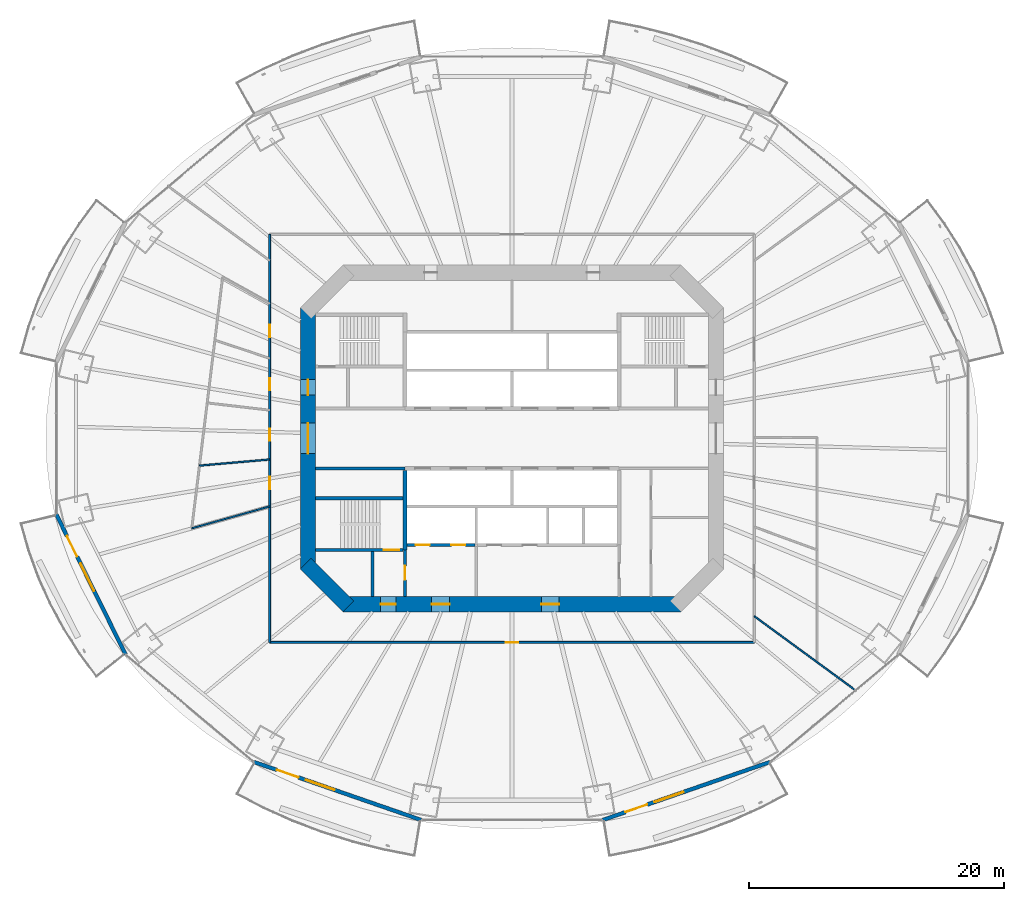
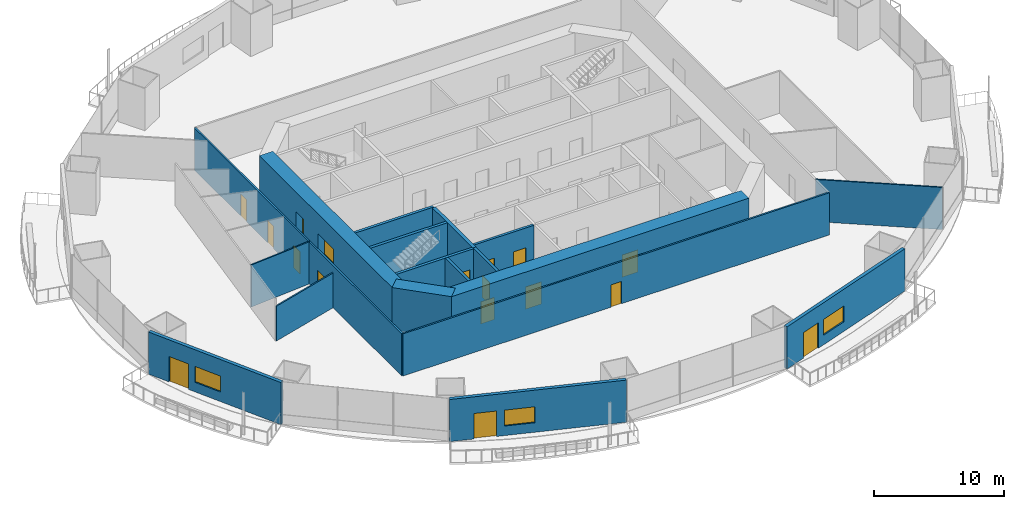
# One storey, part 14 of 23: 18 walls, 17 doors, 3 windows, 20 openings.
"""IFC4 building model written with IfcOpenShell, lengths in metres."""

import ifcopenshell
import ifcopenshell.guid

model = None  # the IFC model being written
_history = None  # IfcOwnerHistory: only IFC2X3 demands one
_inside = {}  # id of a spatial element -> (the spatial element, [elements in it])
_under = {}  # id of a project, library or spatial element -> (it, [spatial elements below it])
_declared = {}  # id of a project -> (the project, [libraries it declares])
_typed = {}  # id of a type object -> (the type object, [elements of that type])
_made_of = {}  # id of a material, layer set ... -> (it, [elements and type objects made of it])


def new_model(schema):
    """Start an empty IFC model of exactly this schema.

    Asked for "IFC4X3", IfcOpenShell would pick the latest addendum, in which some entities
    have other attributes; the version numbers below select the first issue.
    IFC2X3 requires an IfcOwnerHistory on every rooted entity: one is made here for all.
    """
    global model, _history
    if schema == "IFC4X3":
        model = ifcopenshell.file(schema_version=(4, 3, 0, 0))
    else:
        model = ifcopenshell.file(schema=schema)
    _inside.clear()
    _under.clear()
    _declared.clear()
    _typed.clear()
    _made_of.clear()
    _history = None
    if model.schema == "IFC2X3":
        org = make("IfcOrganization", Name="unknown")
        user = make(
            "IfcPersonAndOrganization",
            ThePerson=make("IfcPerson", FamilyName="unknown"),
            TheOrganization=org,
        )
        app = make(
            "IfcApplication",
            ApplicationDeveloper=org,
            Version="unknown",
            ApplicationFullName="unknown",
            ApplicationIdentifier="unknown",
        )
        _history = make(
            "IfcOwnerHistory",
            OwningUser=user,
            OwningApplication=app,
            ChangeAction="ADDED",
            CreationDate=0,
        )
    return model


def make(cls, **values):
    """One entity of the class cls with the attributes given. An attribute that is None is left unset."""
    return model.create_entity(
        cls, **{name: value for name, value in values.items() if value is not None}
    )


def rooted(cls, **values):
    """An entity with a GlobalId (a new one), such as an element, a storey or a relation."""
    return make(cls, GlobalId=ifcopenshell.guid.new(), OwnerHistory=_history, **values)


def si_unit(unit_type, name, prefix=None):
    """IfcSIUnit, for example si_unit("LENGTHUNIT", "METRE", prefix="MILLI")."""
    return make("IfcSIUnit", UnitType=unit_type, Prefix=prefix, Name=name)


def assignment(units):
    """IfcUnitAssignment: the units of a project."""
    return None if units is None else make("IfcUnitAssignment", Units=units)


def point(xyz):
    """IfcCartesianPoint."""
    return None if xyz is None else make("IfcCartesianPoint", Coordinates=xyz)


def direction(xyz):
    """IfcDirection."""
    return None if xyz is None else make("IfcDirection", DirectionRatios=xyz)


def frame(location, z_axis=None, x_axis=None):
    """IfcAxis2Placement3D, a coordinate frame: its origin and axes. An axis left out is left unset."""
    return make(
        "IfcAxis2Placement3D",
        Location=point(location),
        Axis=direction(z_axis),
        RefDirection=direction(x_axis),
    )


def frame_2d(location, x_axis=None):
    """IfcAxis2Placement2D, a coordinate frame in the plane: its origin and x axis."""
    return make(
        "IfcAxis2Placement2D", Location=point(location), RefDirection=direction(x_axis)
    )


def origin():
    """The frame at (0, 0, 0) with its axes left unset."""
    return frame((0.0, 0.0, 0.0))


def place(relative_to, where):
    """IfcLocalPlacement: puts the frame where relative to a parent placement (None: the world)."""
    return make(
        "IfcLocalPlacement", PlacementRelTo=relative_to, RelativePlacement=where
    )


def context(
    kind, dimensions, precision=None, world=None, true_north=None, identifier=None
):
    """IfcGeometricRepresentationContext, for example the 3D "Model" context."""
    return make(
        "IfcGeometricRepresentationContext",
        ContextIdentifier=identifier,
        ContextType=kind,
        CoordinateSpaceDimension=dimensions,
        Precision=precision,
        WorldCoordinateSystem=world,
        TrueNorth=true_north,
    )


def subcontext(parent, identifier, kind, view, scale=None):
    """IfcGeometricRepresentationSubContext, for example "Body" below "Model"."""
    return make(
        "IfcGeometricRepresentationSubContext",
        ContextIdentifier=identifier,
        ContextType=kind,
        ParentContext=parent,
        TargetScale=scale,
        TargetView=view,
    )


def project(units=None, contexts=None):
    """IfcProject with its units and contexts."""
    return rooted(
        "IfcProject",
        Name="project",
        RepresentationContexts=contexts,
        UnitsInContext=assignment(units),
    )


def spatial(cls, under=None, at=None, **own):
    """A site, building, storey or space (cls), placed at a placement, below another one or the project."""
    s = rooted(cls, ObjectPlacement=at, **own)
    if under is not None:
        _under.setdefault(under.id(), (under, []))[1].append(s)
    return s


def profile(cls, at=None, kind="AREA", **sizes):
    """A parametric profile (cls). Its sizes go by their IFC names, for example OverallWidth=200.0."""
    return make(cls, ProfileType=kind, Position=at, **sizes)


def rectangle(**sizes):
    """IfcRectangleProfileDef."""
    return profile("IfcRectangleProfileDef", **sizes)


def extrude(swept, where, along, depth):
    """IfcExtrudedAreaSolid: the profile swept, set in the frame where, extruded along a direction by depth."""
    return make(
        "IfcExtrudedAreaSolid",
        SweptArea=swept,
        Position=where,
        ExtrudedDirection=direction(along),
        Depth=depth,
    )


def shape(context_of_items, identifier, shape_type, items):
    """IfcShapeRepresentation: the items that make up one representation, for example the "Body"."""
    return make(
        "IfcShapeRepresentation",
        ContextOfItems=context_of_items,
        RepresentationIdentifier=identifier,
        RepresentationType=shape_type,
        Items=items,
    )


def material(Name=None, Category=None):
    """IfcMaterial."""
    return make("IfcMaterial", Name=Name, Category=Category)


def layer(
    of_material, thickness, ventilated=None, Name=None, Category=None, Priority=None
):
    """IfcMaterialLayer: one layer of a wall or slab, of a material (None: an air gap)."""
    return make(
        "IfcMaterialLayer",
        Material=of_material,
        LayerThickness=thickness,
        IsVentilated=ventilated,
        Name=Name,
        Category=Category,
        Priority=Priority,
    )


def layer_set(layers, Name=None):
    """IfcMaterialLayerSet."""
    return make("IfcMaterialLayerSet", MaterialLayers=layers, LayerSetName=Name)


def made_of(thing, what):
    """Note that an element or type object is made of a material, layer set ...; save() writes the relation."""
    if what is not None:
        _made_of.setdefault(what.id(), (what, []))[1].append(thing)
    return thing


def type_object(cls, material=None, **own):
    """A type object (cls), such as IfcWallType, which elements share."""
    return made_of(rooted(cls, **own), material)


def element(
    cls,
    number,
    at=None,
    inside=None,
    cuts=None,
    type_object=None,
    material=None,
    context=None,
    identifier="Body",
    shape_type=None,
    held_by="IfcProductDefinitionShape",
    body=None,
    shapes=None,
    **own,
):
    """One element of the class cls, such as IfcWall. Its Tag is "e" and its number.

    at: its placement. inside: the storey or other place that contains it. cuts: it is an
    opening in that element (IfcRelVoidsElement). A single representation is given by context,
    identifier, shape_type and body (its items); several are given by shapes. held_by: the class
    of the entity that holds the representations. save() writes the other relations.
    """
    e = rooted(cls, Tag="e%d" % number, ObjectPlacement=at, **own)
    if body is not None:
        shapes = [shape(context, identifier, shape_type, body)]
    if shapes is not None:
        e.Representation = make(held_by, Representations=shapes)
    if inside is not None:
        _inside.setdefault(inside.id(), (inside, []))[1].append(e)
    if cuts is not None:
        rooted(
            "IfcRelVoidsElement", RelatingBuildingElement=cuts, RelatedOpeningElement=e
        )
    if type_object is not None:
        _typed.setdefault(type_object.id(), (type_object, []))[1].append(e)
    return made_of(e, material)


def fill(opening, filler):
    """IfcRelFillsElement: the door or window that sits in an opening."""
    return rooted(
        "IfcRelFillsElement",
        RelatingOpeningElement=opening,
        RelatedBuildingElement=filler,
    )


def aggregate(whole, parts):
    """IfcRelAggregates: a whole, such as a stair, and the parts it consists of."""
    return rooted("IfcRelAggregates", RelatingObject=whole, RelatedObjects=parts)


def save(model, path):
    """Write the relations noted so far, then the file.

    IfcRelAggregates (storeys below a building ...), IfcRelContainedInSpatialStructure (elements
    in a storey), IfcRelDefinesByType, IfcRelAssociatesMaterial and IfcRelDeclares: one each for
    every whole, place, type object, material and project.
    """
    for whole, parts in _under.values():
        aggregate(whole, parts)
    for where, things in _inside.values():
        rooted(
            "IfcRelContainedInSpatialStructure",
            RelatedElements=things,
            RelatingStructure=where,
        )
    for kind, things in _typed.values():
        rooted("IfcRelDefinesByType", RelatedObjects=things, RelatingType=kind)
    for what, things in _made_of.values():
        rooted("IfcRelAssociatesMaterial", RelatedObjects=things, RelatingMaterial=what)
    for by, libraries in _declared.values():
        rooted("IfcRelDeclares", RelatingContext=by, RelatedDefinitions=libraries)
    model.write(path)


model = new_model("IFC4")

# Units and contexts
model_context = context("Model", 3, precision=1e-05, world=origin(), true_north=direction((0.0, 1.0)))
body_context = subcontext(model_context, "Body", "Model", "MODEL_VIEW")
ifc_project = project(units=[si_unit("LENGTHUNIT", "METRE"), si_unit("AREAUNIT", "SQUARE_METRE"), si_unit("VOLUMEUNIT", "CUBIC_METRE"), si_unit("PLANEANGLEUNIT", "RADIAN"), si_unit("MASSUNIT", "GRAM", prefix="KILO")], contexts=[model_context])

# Site, building, storey
site_placement = place(None, origin())
site = spatial("IfcSite", under=ifc_project, at=site_placement, CompositionType="ELEMENT")
building_placement = place(site_placement, origin())
building = spatial("IfcBuilding", under=site, at=building_placement, Name="Marenthal Gate Tower", CompositionType="ELEMENT")
storey_placement = place(building_placement, frame((0.0, 0.0, 45.449951171875)))
storey = spatial("IfcBuildingStorey", under=building, at=storey_placement, Name="L07", CompositionType="ELEMENT", Elevation=45.449951171875)

# Wall, openings, doors
ifc_material_1 = material(Name="Concrete 60 MPa", Category="concrete")
ifc_layer_1 = layer(ifc_material_1, 1.199951171875)
ifc_layer_set_1 = layer_set([ifc_layer_1], Name="Core shear wall 1200")
wall_type_1 = type_object("IfcWallType", Name="Core shear wall 1200", PredefinedType="SHEAR", material=ifc_layer_set_1)
wall_1_placement = place(storey_placement, frame((-16.0, 10.24853515625, -0.179931640625), z_axis=(0.0, 0.0, 1.0), x_axis=(0.0, -1.0, 0.0)))
wall_1 = element("IfcWall", 1, at=wall_1_placement, inside=storey, type_object=wall_type_1, Name="Core wall 06", PredefinedType="SHEAR", context=body_context, shape_type="SweptSolid", body=[
    extrude(rectangle(XDim=20.4970703125, YDim=1.199951171875, at=frame_2d((10.24853515625, 0.0))), origin(), (0.0, 0.0, 1.0), 4.14990234375),
])
opening_1_placement = place(wall_1_placement, frame((9.048583984375, 0.0, 0.179931640625)))
opening_1 = element("IfcOpeningElement", 2, at=opening_1_placement, cuts=wall_1, Name="Opening D003.01", PredefinedType="OPENING", context=body_context, shape_type="SweptSolid", body=[
    extrude(rectangle(XDim=2.39990234375, YDim=2.10009765625, at=frame_2d((1.199951171875, 1.050048828125))), frame((0.0, 0.60986328125, 0.0), z_axis=(0.0, -1.0, 0.0), x_axis=(1.0, 0.0, 0.0)), (0.0, 0.0, 1.0), 1.219970703125),
])
opening_2_placement = place(wall_1_placement, frame((5.6484375, 0.0, 0.179931640625)))
opening_2 = element("IfcOpeningElement", 3, at=opening_2_placement, cuts=wall_1, Name="Opening D001.04", PredefinedType="OPENING", context=body_context, shape_type="SweptSolid", body=[
    extrude(rectangle(XDim=1.199951171875, YDim=2.10009765625, at=frame_2d((0.60009765625, 1.050048828125))), frame((0.0, 0.60986328125, 0.0), z_axis=(0.0, -1.0, 0.0), x_axis=(1.0, 0.0, 0.0)), (0.0, 0.0, 1.0), 1.219970703125),
])
ifc_material_2 = material(Name="Steel fire door", Category="steel")
door_type_1 = type_object("IfcDoorType", Name="Double fire door FD 45 2400 x 2100", OperationType="DOUBLE_DOOR_SINGLE_SWING", PredefinedType="DOOR", material=ifc_material_2)
door_1_placement = place(opening_1_placement, origin())
door_1 = element("IfcDoor", 4, at=door_1_placement, inside=storey, type_object=door_type_1, Name="Door D003.01", OperationType="DOUBLE_DOOR_SINGLE_SWING", OverallHeight=2.10009765625, OverallWidth=2.39990234375, PredefinedType="DOOR", context=body_context, shape_type="SweptSolid", body=[
    extrude(rectangle(XDim=2.39990234375, YDim=2.10009765625, at=frame_2d((1.199951171875, 1.050048828125))), frame((0.0, 0.02490234375, 0.0), z_axis=(0.0, -1.0, 0.0), x_axis=(1.0, 0.0, 0.0)), (0.0, 0.0, 1.0), 0.050048828125),
])
fill(opening_1, door_1)
ifc_material_3 = material(Name="Steel fire door", Category="steel")
door_type_2 = type_object("IfcDoorType", Name="Fire door FD 90 1200 x 2100", OperationType="NOTDEFINED", PredefinedType="DOOR", material=ifc_material_3)
door_2_placement = place(opening_2_placement, origin())
door_2 = element("IfcDoor", 5, at=door_2_placement, inside=storey, type_object=door_type_2, Name="Door D001.04", OperationType="SINGLE_SWING_RIGHT", OverallHeight=2.10009765625, OverallWidth=1.199951171875, PredefinedType="DOOR", context=body_context, shape_type="SweptSolid", body=[
    extrude(rectangle(XDim=1.199951171875, YDim=2.10009765625, at=frame_2d((0.60009765625, 1.050048828125))), frame((0.0, 0.02490234375, 0.0), z_axis=(0.0, -1.0, 0.0), x_axis=(1.0, 0.0, 0.0)), (0.0, 0.0, 1.0), 0.050048828125),
])
fill(opening_2, door_2)

# Wall
wall_2_placement = place(storey_placement, frame((-16.17578125, -9.82421875, -0.179931640625), z_axis=(0.0, 0.0, 1.0), x_axis=(0.707106781187, -0.707106781187, 0.0)))
element("IfcWall", 6, at=wall_2_placement, inside=storey, type_object=wall_type_1, Name="Core wall 07", PredefinedType="SHEAR", context=body_context, shape_type="SweptSolid", body=[
    extrude(rectangle(XDim=4.73974609375, YDim=1.199951171875, at=frame_2d((2.369873046875, 0.0))), origin(), (0.0, 0.0, 1.0), 4.14990234375),
])

# Wall, openings, doors
wall_3_placement = place(storey_placement, frame((-13.24853515625, -13.0, -0.179931640625), z_axis=(0.0, 0.0, 1.0), x_axis=(1.0, 0.0, 0.0)))
wall_3 = element("IfcWall", 7, at=wall_3_placement, inside=storey, type_object=wall_type_1, Name="Core wall 08", PredefinedType="SHEAR", context=body_context, shape_type="SweptSolid", body=[
    extrude(rectangle(XDim=26.4970703125, YDim=1.199951171875, at=frame_2d((13.24853515625, 0.0))), origin(), (0.0, 0.0, 1.0), 4.14990234375),
])
opening_3_placement = place(wall_3_placement, frame((2.948486328125, 0.0, 0.179931640625)))
opening_3 = element("IfcOpeningElement", 8, at=opening_3_placement, cuts=wall_3, Name="Opening D001.06", PredefinedType="OPENING", context=body_context, shape_type="SweptSolid", body=[
    extrude(rectangle(XDim=1.199951171875, YDim=2.10009765625, at=frame_2d((0.60009765625, 1.050048828125))), frame((0.0, 0.60986328125, 0.0), z_axis=(0.0, -1.0, 0.0), x_axis=(1.0, 0.0, 0.0)), (0.0, 0.0, 1.0), 1.219970703125),
])
opening_4_placement = place(wall_3_placement, frame((6.948486328125, 0.0, 0.179931640625)))
opening_4 = element("IfcOpeningElement", 9, at=opening_4_placement, cuts=wall_3, Name="Opening D004.01", PredefinedType="OPENING", context=body_context, shape_type="SweptSolid", body=[
    extrude(rectangle(XDim=1.39990234375, YDim=2.10009765625, at=frame_2d((0.699951171875, 1.050048828125))), frame((0.0, 0.60986328125, 0.0), z_axis=(0.0, -1.0, 0.0), x_axis=(1.0, 0.0, 0.0)), (0.0, 0.0, 1.0), 1.219970703125),
])
opening_5_placement = place(wall_3_placement, frame((15.548583984375, 0.0, 0.179931640625)))
opening_5 = element("IfcOpeningElement", 10, at=opening_5_placement, cuts=wall_3, Name="Opening D004.02", PredefinedType="OPENING", context=body_context, shape_type="SweptSolid", body=[
    extrude(rectangle(XDim=1.39990234375, YDim=2.10009765625, at=frame_2d((0.699951171875, 1.050048828125))), frame((0.0, 0.60986328125, 0.0), z_axis=(0.0, -1.0, 0.0), x_axis=(1.0, 0.0, 0.0)), (0.0, 0.0, 1.0), 1.219970703125),
])
ifc_material_4 = material(Name="Steel fire door", Category="steel")
door_type_3 = type_object("IfcDoorType", Name="Fire door FD 45 1400 x 2100", OperationType="NOTDEFINED", PredefinedType="DOOR", material=ifc_material_4)
door_3_placement = place(opening_4_placement, origin())
door_3 = element("IfcDoor", 11, at=door_3_placement, inside=storey, type_object=door_type_3, Name="Door D004.01", OperationType="SINGLE_SWING_RIGHT", OverallHeight=2.10009765625, OverallWidth=1.39990234375, PredefinedType="DOOR", context=body_context, shape_type="SweptSolid", body=[
    extrude(rectangle(XDim=1.39990234375, YDim=2.10009765625, at=frame_2d((0.699951171875, 1.050048828125))), frame((0.0, 0.02490234375, 0.0), z_axis=(0.0, -1.0, 0.0), x_axis=(1.0, 0.0, 0.0)), (0.0, 0.0, 1.0), 0.050048828125),
])
fill(opening_4, door_3)
door_4_placement = place(opening_5_placement, origin())
door_4 = element("IfcDoor", 12, at=door_4_placement, inside=storey, type_object=door_type_3, Name="Door D004.02", OperationType="SINGLE_SWING_RIGHT", OverallHeight=2.10009765625, OverallWidth=1.39990234375, PredefinedType="DOOR", context=body_context, shape_type="SweptSolid", body=[
    extrude(rectangle(XDim=1.39990234375, YDim=2.10009765625, at=frame_2d((0.699951171875, 1.050048828125))), frame((0.0, 0.02490234375, 0.0), z_axis=(0.0, -1.0, 0.0), x_axis=(1.0, 0.0, 0.0)), (0.0, 0.0, 1.0), 0.050048828125),
])
fill(opening_5, door_4)
door_5_placement = place(opening_3_placement, origin())
door_5 = element("IfcDoor", 13, at=door_5_placement, inside=storey, type_object=door_type_2, Name="Door D001.06", OperationType="SINGLE_SWING_RIGHT", OverallHeight=2.10009765625, OverallWidth=1.199951171875, PredefinedType="DOOR", context=body_context, shape_type="SweptSolid", body=[
    extrude(rectangle(XDim=1.199951171875, YDim=2.10009765625, at=frame_2d((0.60009765625, 1.050048828125))), frame((0.0, 0.02490234375, 0.0), z_axis=(0.0, -1.0, 0.0), x_axis=(1.0, 0.0, 0.0)), (0.0, 0.0, 1.0), 0.050048828125),
])
fill(opening_3, door_5)

# Wall
ifc_material_5 = material(Name="Concrete 50 MPa", Category="concrete")
ifc_layer_2 = layer(ifc_material_5, 0.300048828125)
ifc_layer_set_2 = layer_set([ifc_layer_2], Name="Hoistway shear wall 300")
wall_type_2 = type_object("IfcWallType", Name="Hoistway shear wall 300", PredefinedType="SHEAR", material=ifc_layer_set_2)
wall_4_placement = place(storey_placement, frame((-8.39990234375, -8.75, -0.179931640625), z_axis=(0.0, 0.0, 1.0), x_axis=(0.0, 1.0, 0.0)))
element("IfcWall", 14, at=wall_4_placement, inside=storey, type_object=wall_type_2, Name="Hoistway wall 30", PredefinedType="SHEAR", context=body_context, shape_type="SweptSolid", body=[
    extrude(rectangle(XDim=6.25, YDim=0.300048828125, at=frame_2d((3.125, 0.0))), origin(), (0.0, 0.0, 1.0), 4.14990234375),
])

# Wall, openings, doors
ifc_material_6 = material(Name="Concrete 40 MPa", Category="concrete")
ifc_layer_3 = layer(ifc_material_6, 0.219970703125)
ifc_layer_set_3 = layer_set([ifc_layer_3], Name="Hoistway wall 220")
wall_type_3 = type_object("IfcWallType", Name="Hoistway wall 220", PredefinedType="STANDARD", material=ifc_layer_set_3)
wall_5_placement = place(storey_placement, frame((-8.25, -8.35009765625, 0.0), z_axis=(0.0, 0.0, 1.0), x_axis=(1.0, 0.0, 0.0)))
wall_5 = element("IfcWall", 15, at=wall_5_placement, inside=storey, type_object=wall_type_3, Name="Hoistway wall 10", PredefinedType="STANDARD", context=body_context, shape_type="SweptSolid", body=[
    extrude(rectangle(XDim=5.340087890625, YDim=0.219970703125, at=frame_2d((2.669921875, 0.0))), origin(), (0.0, 0.0, 1.0), 3.969970703125),
])
opening_6_placement = place(wall_5_placement, frame((0.699951171875, 0.0, 0.0)))
opening_6 = element("IfcOpeningElement", 16, at=opening_6_placement, cuts=wall_5, Name="Opening LD-LF1", PredefinedType="OPENING", context=body_context, shape_type="SweptSolid", body=[
    extrude(rectangle(XDim=1.10009765625, YDim=2.10009765625, at=frame_2d((0.550048828125, 1.050048828125))), frame((0.0, 0.1201171875, 0.0), z_axis=(0.0, -1.0, 0.0), x_axis=(1.0, 0.0, 0.0)), (0.0, 0.0, 1.0), 0.239990234375),
])
opening_7_placement = place(wall_5_placement, frame((3.5, 0.0, 0.0)))
opening_7 = element("IfcOpeningElement", 17, at=opening_7_placement, cuts=wall_5, Name="Opening LD-LF2", PredefinedType="OPENING", context=body_context, shape_type="SweptSolid", body=[
    extrude(rectangle(XDim=1.10009765625, YDim=2.10009765625, at=frame_2d((0.550048828125, 1.050048828125))), frame((0.0, 0.1201171875, 0.0), z_axis=(0.0, -1.0, 0.0), x_axis=(1.0, 0.0, 0.0)), (0.0, 0.0, 1.0), 0.239990234375),
])
ifc_material_7 = material(Name="Stainless steel sliding door", Category="steel")
door_type_4 = type_object("IfcDoorType", Name="Lift landing door FD 90 1100 x 2100", OperationType="DOUBLE_DOOR_SLIDING", PredefinedType="DOOR", material=ifc_material_7)
door_6_placement = place(opening_6_placement, origin())
door_6 = element("IfcDoor", 18, at=door_6_placement, inside=storey, type_object=door_type_4, Name="Lift landing door LF1", OperationType="DOUBLE_DOOR_SLIDING", OverallHeight=2.10009765625, OverallWidth=1.10009765625, PredefinedType="DOOR", context=body_context, shape_type="SweptSolid", body=[
    extrude(rectangle(XDim=1.10009765625, YDim=2.10009765625, at=frame_2d((0.550048828125, 1.050048828125))), frame((0.0, 0.02490234375, 0.0), z_axis=(0.0, -1.0, 0.0), x_axis=(1.0, 0.0, 0.0)), (0.0, 0.0, 1.0), 0.050048828125),
])
fill(opening_6, door_6)
door_7_placement = place(opening_7_placement, origin())
door_7 = element("IfcDoor", 19, at=door_7_placement, inside=storey, type_object=door_type_4, Name="Lift landing door LF2", OperationType="DOUBLE_DOOR_SLIDING", OverallHeight=2.10009765625, OverallWidth=1.10009765625, PredefinedType="DOOR", context=body_context, shape_type="SweptSolid", body=[
    extrude(rectangle(XDim=1.10009765625, YDim=2.10009765625, at=frame_2d((0.550048828125, 1.050048828125))), frame((0.0, 0.02490234375, 0.0), z_axis=(0.0, -1.0, 0.0), x_axis=(1.0, 0.0, 0.0)), (0.0, 0.0, 1.0), 0.050048828125),
])
fill(opening_7, door_7)

# Walls
ifc_material_8 = material(Name="Gypsum board on steel studs", Category="steel")
ifc_layer_4 = layer(ifc_material_8, 0.1201171875)
ifc_layer_set_4 = layer_set([ifc_layer_4], Name="Partition 120")
wall_type_4 = type_object("IfcWallType", Name="Partition 120", PredefinedType="PARTITIONING", material=ifc_layer_set_4)
wall_6_placement = place(storey_placement, frame((-24.506103515625, -2.13427734375, 0.0), z_axis=(0.0, 0.0, 1.0), x_axis=(0.996225821909, 0.086799261298, 0.0)))
element("IfcWall", 20, at=wall_6_placement, inside=storey, type_object=wall_type_4, Name="Partition wall 47", PredefinedType="PARTITIONING", context=body_context, shape_type="SweptSolid", body=[
    extrude(rectangle(XDim=5.52685546875, YDim=0.1201171875, at=frame_2d((2.763427734375, 0.0))), origin(), (0.0, 0.0, 1.0), 3.969970703125),
])
wall_7_placement = place(storey_placement, frame((-19.0, -5.3359375, 0.0), z_axis=(0.0, 0.0, 1.0), x_axis=(-0.962746758525, -0.270404657783, 0.0)))
element("IfcWall", 21, at=wall_7_placement, inside=storey, type_object=wall_type_4, Name="Partition wall 53", PredefinedType="PARTITIONING", context=body_context, shape_type="SweptSolid", body=[
    extrude(rectangle(XDim=6.34619140625, YDim=0.1201171875, at=frame_2d((3.173095703125, 0.0))), origin(), (0.0, 0.0, 1.0), 3.277099609375),
])
wall_8_placement = place(storey_placement, frame((19.0, -13.941162109375, 0.0), z_axis=(0.0, 0.0, 1.0), x_axis=(0.806231534746, -0.591600128787, 0.0)))
element("IfcWall", 22, at=wall_8_placement, inside=storey, type_object=wall_type_4, Name="Partition wall 57", PredefinedType="PARTITIONING", context=body_context, shape_type="SweptSolid", body=[
    extrude(rectangle(XDim=9.84619140625, YDim=0.1201171875, at=frame_2d((4.923095703125, 0.0))), origin(), (0.0, 0.0, 1.0), 3.969970703125),
])

# Wall, openings, doors
ifc_material_9 = material(Name="Gypsum board on steel studs", Category="steel")
ifc_layer_5 = layer(ifc_material_9, 0.14990234375)
ifc_layer_set_5 = layer_set([ifc_layer_5], Name="Partition 150")
wall_type_5 = type_object("IfcWallType", Name="Partition 150", PredefinedType="PARTITIONING", material=ifc_layer_set_5)
wall_9_placement = place(storey_placement, frame((-19.0, -16.0, 0.0), z_axis=(0.0, 0.0, 1.0), x_axis=(0.0, 1.0, 0.0)))
wall_9 = element("IfcWall", 23, at=wall_9_placement, inside=storey, type_object=wall_type_5, Name="Partition wall 52", PredefinedType="PARTITIONING", context=body_context, shape_type="SweptSolid", body=[
    extrude(rectangle(XDim=32.0, YDim=0.14990234375, at=frame_2d((16.0, 0.0))), origin(), (0.0, 0.0, 1.0), 3.969970703125),
])
opening_8_placement = place(wall_9_placement, frame((23.947021484375, 0.0, 0.0)))
opening_8 = element("IfcOpeningElement", 24, at=opening_8_placement, cuts=wall_9, Name="Opening D016.01", PredefinedType="OPENING", context=body_context, shape_type="SweptSolid", body=[
    extrude(rectangle(XDim=0.949951171875, YDim=2.10009765625, at=frame_2d((0.47509765625, 1.050048828125))), frame((0.0, 0.0849609375, 0.0), z_axis=(0.0, -1.0, 0.0), x_axis=(1.0, 0.0, 0.0)), (0.0, 0.0, 1.0), 0.169921875),
])
opening_9_placement = place(wall_9_placement, frame((19.77099609375, 0.0, 0.0)))
opening_9 = element("IfcOpeningElement", 25, at=opening_9_placement, cuts=wall_9, Name="Opening D016.02", PredefinedType="OPENING", context=body_context, shape_type="SweptSolid", body=[
    extrude(rectangle(XDim=0.949951171875, YDim=2.10009765625, at=frame_2d((0.47509765625, 1.050048828125))), frame((0.0, 0.0849609375, 0.0), z_axis=(0.0, -1.0, 0.0), x_axis=(1.0, 0.0, 0.0)), (0.0, 0.0, 1.0), 0.169921875),
])
opening_10_placement = place(wall_9_placement, frame((15.803955078125, 0.0, 0.0)))
opening_10 = element("IfcOpeningElement", 26, at=opening_10_placement, cuts=wall_9, Name="Opening D016.03", PredefinedType="OPENING", context=body_context, shape_type="SweptSolid", body=[
    extrude(rectangle(XDim=0.949951171875, YDim=2.10009765625, at=frame_2d((0.47509765625, 1.050048828125))), frame((0.0, 0.0849609375, 0.0), z_axis=(0.0, -1.0, 0.0), x_axis=(1.0, 0.0, 0.0)), (0.0, 0.0, 1.0), 0.169921875),
])
opening_11_placement = place(wall_9_placement, frame((12.030029296875, 0.0, 0.0)))
opening_11 = element("IfcOpeningElement", 27, at=opening_11_placement, cuts=wall_9, Name="Opening D016.04", PredefinedType="OPENING", context=body_context, shape_type="SweptSolid", body=[
    extrude(rectangle(XDim=0.949951171875, YDim=2.10009765625, at=frame_2d((0.47509765625, 1.050048828125))), frame((0.0, 0.0849609375, 0.0), z_axis=(0.0, -1.0, 0.0), x_axis=(1.0, 0.0, 0.0)), (0.0, 0.0, 1.0), 0.169921875),
])
ifc_material_10 = material(Name="Timber door", Category="wood")
door_type_5 = type_object("IfcDoorType", Name="Door 950 x 2100", OperationType="NOTDEFINED", PredefinedType="DOOR", material=ifc_material_10)
door_8_placement = place(opening_8_placement, origin())
door_8 = element("IfcDoor", 28, at=door_8_placement, inside=storey, type_object=door_type_5, Name="Door D016.01", OperationType="SINGLE_SWING_RIGHT", OverallHeight=2.10009765625, OverallWidth=0.949951171875, PredefinedType="DOOR", context=body_context, shape_type="SweptSolid", body=[
    extrude(rectangle(XDim=0.949951171875, YDim=2.10009765625, at=frame_2d((0.47509765625, 1.050048828125))), frame((0.0, 0.02490234375, 0.0), z_axis=(0.0, -1.0, 0.0), x_axis=(1.0, 0.0, 0.0)), (0.0, 0.0, 1.0), 0.050048828125),
])
fill(opening_8, door_8)
door_9_placement = place(opening_9_placement, origin())
door_9 = element("IfcDoor", 29, at=door_9_placement, inside=storey, type_object=door_type_5, Name="Door D016.02", OperationType="SINGLE_SWING_RIGHT", OverallHeight=2.10009765625, OverallWidth=0.949951171875, PredefinedType="DOOR", context=body_context, shape_type="SweptSolid", body=[
    extrude(rectangle(XDim=0.949951171875, YDim=2.10009765625, at=frame_2d((0.47509765625, 1.050048828125))), frame((0.0, 0.02490234375, 0.0), z_axis=(0.0, -1.0, 0.0), x_axis=(1.0, 0.0, 0.0)), (0.0, 0.0, 1.0), 0.050048828125),
])
fill(opening_9, door_9)
door_10_placement = place(opening_10_placement, origin())
door_10 = element("IfcDoor", 30, at=door_10_placement, inside=storey, type_object=door_type_5, Name="Door D016.03", OperationType="SINGLE_SWING_RIGHT", OverallHeight=2.10009765625, OverallWidth=0.949951171875, PredefinedType="DOOR", context=body_context, shape_type="SweptSolid", body=[
    extrude(rectangle(XDim=0.949951171875, YDim=2.10009765625, at=frame_2d((0.47509765625, 1.050048828125))), frame((0.0, 0.02490234375, 0.0), z_axis=(0.0, -1.0, 0.0), x_axis=(1.0, 0.0, 0.0)), (0.0, 0.0, 1.0), 0.050048828125),
])
fill(opening_10, door_10)
door_11_placement = place(opening_11_placement, origin())
door_11 = element("IfcDoor", 31, at=door_11_placement, inside=storey, type_object=door_type_5, Name="Door D016.04", OperationType="SINGLE_SWING_RIGHT", OverallHeight=2.10009765625, OverallWidth=0.949951171875, PredefinedType="DOOR", context=body_context, shape_type="SweptSolid", body=[
    extrude(rectangle(XDim=0.949951171875, YDim=2.10009765625, at=frame_2d((0.47509765625, 1.050048828125))), frame((0.0, 0.02490234375, 0.0), z_axis=(0.0, -1.0, 0.0), x_axis=(1.0, 0.0, 0.0)), (0.0, 0.0, 1.0), 0.050048828125),
])
fill(opening_11, door_11)

# Wall, opening, door
wall_10_placement = place(storey_placement, frame((19.0, -16.0, 0.0), z_axis=(0.0, 0.0, 1.0), x_axis=(-1.0, 0.0, 0.0)))
wall_10 = element("IfcWall", 32, at=wall_10_placement, inside=storey, type_object=wall_type_5, Name="Partition wall 56", PredefinedType="PARTITIONING", context=body_context, shape_type="SweptSolid", body=[
    extrude(rectangle(XDim=38.0, YDim=0.14990234375, at=frame_2d((19.0, 0.0))), origin(), (0.0, 0.0, 1.0), 3.969970703125),
])
opening_12_placement = place(wall_10_placement, frame((18.52490234375, 0.0, 0.0)))
opening_12 = element("IfcOpeningElement", 33, at=opening_12_placement, cuts=wall_10, Name="Opening D016.05", PredefinedType="OPENING", context=body_context, shape_type="SweptSolid", body=[
    extrude(rectangle(XDim=0.949951171875, YDim=2.10009765625, at=frame_2d((0.47509765625, 1.050048828125))), frame((0.0, 0.0849609375, 0.0), z_axis=(0.0, -1.0, 0.0), x_axis=(1.0, 0.0, 0.0)), (0.0, 0.0, 1.0), 0.169921875),
])
door_12_placement = place(opening_12_placement, origin())
door_12 = element("IfcDoor", 34, at=door_12_placement, inside=storey, type_object=door_type_5, Name="Door D016.05", OperationType="SINGLE_SWING_RIGHT", OverallHeight=2.10009765625, OverallWidth=0.949951171875, PredefinedType="DOOR", context=body_context, shape_type="SweptSolid", body=[
    extrude(rectangle(XDim=0.949951171875, YDim=2.10009765625, at=frame_2d((0.47509765625, 1.050048828125))), frame((0.0, 0.02490234375, 0.0), z_axis=(0.0, -1.0, 0.0), x_axis=(1.0, 0.0, 0.0)), (0.0, 0.0, 1.0), 0.050048828125),
])
fill(opening_12, door_12)

# Walls
ifc_material_11 = material(Name="Concrete 40 MPa", Category="concrete")
ifc_layer_6 = layer(ifc_material_11, 0.25)
ifc_layer_set_6 = layer_set([ifc_layer_6], Name="Stair enclosure wall 250")
wall_type_6 = type_object("IfcWallType", Name="Stair enclosure wall 250", PredefinedType="STANDARD", material=ifc_layer_set_6)
wall_11_placement = place(storey_placement, frame((-15.39990234375, -2.35009765625, 0.0), z_axis=(0.0, 0.0, 1.0), x_axis=(1.0, 0.0, 0.0)))
element("IfcWall", 35, at=wall_11_placement, inside=storey, type_object=wall_type_6, Name="Stair wall 15", PredefinedType="STANDARD", context=body_context, shape_type="SweptSolid", body=[
    extrude(rectangle(XDim=7.0, YDim=0.25, at=frame_2d((3.5, 0.0))), origin(), (0.0, 0.0, 1.0), 3.969970703125),
])
wall_12_placement = place(storey_placement, frame((-10.949951171875, -12.39990234375, 0.0), z_axis=(0.0, 0.0, 1.0), x_axis=(0.0, 1.0, 0.0)))
element("IfcWall", 36, at=wall_12_placement, inside=storey, type_object=wall_type_6, Name="Stair wall 28", PredefinedType="STANDARD", context=body_context, shape_type="SweptSolid", body=[
    extrude(rectangle(XDim=3.52490234375, YDim=0.25, at=frame_2d((1.762451171875, 0.0))), origin(), (0.0, 0.0, 1.0), 3.969970703125),
])

# Wall, opening, door
wall_13_placement = place(storey_placement, frame((-8.39990234375, -12.39990234375, 0.0), z_axis=(0.0, 0.0, 1.0), x_axis=(0.0, 1.0, 0.0)))
wall_13 = element("IfcWall", 37, at=wall_13_placement, inside=storey, type_object=wall_type_6, Name="Stair wall 29", PredefinedType="STANDARD", context=body_context, shape_type="SweptSolid", body=[
    extrude(rectangle(XDim=3.64990234375, YDim=0.25, at=frame_2d((1.824951171875, 0.0))), origin(), (0.0, 0.0, 1.0), 3.969970703125),
])
opening_13_placement = place(wall_13_placement, frame((1.300048828125, 0.0, 0.0)))
opening_13 = element("IfcOpeningElement", 38, at=opening_13_placement, cuts=wall_13, Name="Opening D002.01", PredefinedType="OPENING", context=body_context, shape_type="SweptSolid", body=[
    extrude(rectangle(XDim=1.10009765625, YDim=2.10009765625, at=frame_2d((0.550048828125, 1.050048828125))), frame((0.0, 0.135009765625, 0.0), z_axis=(0.0, -1.0, 0.0), x_axis=(1.0, 0.0, 0.0)), (0.0, 0.0, 1.0), 0.27001953125),
])
ifc_material_12 = material(Name="Steel fire door", Category="steel")
door_type_6 = type_object("IfcDoorType", Name="Fire door FD 90 1100 x 2100", OperationType="NOTDEFINED", PredefinedType="DOOR", material=ifc_material_12)
door_13_placement = place(opening_13_placement, origin())
door_13 = element("IfcDoor", 39, at=door_13_placement, inside=storey, type_object=door_type_6, Name="Door D002.01", OperationType="SINGLE_SWING_RIGHT", OverallHeight=2.10009765625, OverallWidth=1.10009765625, PredefinedType="DOOR", context=body_context, shape_type="SweptSolid", body=[
    extrude(rectangle(XDim=1.10009765625, YDim=2.10009765625, at=frame_2d((0.550048828125, 1.050048828125))), frame((0.0, 0.02490234375, 0.0), z_axis=(0.0, -1.0, 0.0), x_axis=(1.0, 0.0, 0.0)), (0.0, 0.0, 1.0), 0.050048828125),
])
fill(opening_13, door_13)

ifc_material_13 = material(Name="Concrete 50 MPa", Category="concrete")
ifc_layer_7 = layer(ifc_material_13, 0.25)
ifc_layer_set_7 = layer_set([ifc_layer_7], Name="Stair shear wall 250")
wall_type_7 = type_object("IfcWallType", Name="Stair shear wall 250", PredefinedType="SHEAR", material=ifc_layer_set_7)
wall_14_placement = place(storey_placement, frame((-15.39990234375, -8.75, -0.179931640625), z_axis=(0.0, 0.0, 1.0), x_axis=(1.0, 0.0, 0.0)))
wall_14 = element("IfcWall", 40, at=wall_14_placement, inside=storey, type_object=wall_type_7, Name="Stair wall 09", PredefinedType="SHEAR", context=body_context, shape_type="SweptSolid", body=[
    extrude(rectangle(XDim=6.849853515625, YDim=0.25, at=frame_2d((3.4248046875, 0.0))), origin(), (0.0, 0.0, 1.0), 4.14990234375),
])
opening_14_placement = place(wall_14_placement, frame((5.35009765625, 0.0, 0.179931640625)))
opening_14 = element("IfcOpeningElement", 41, at=opening_14_placement, cuts=wall_14, Name="Opening D001.03", PredefinedType="OPENING", context=body_context, shape_type="SweptSolid", body=[
    extrude(rectangle(XDim=1.199951171875, YDim=2.10009765625, at=frame_2d((0.60009765625, 1.050048828125))), frame((0.0, 0.135009765625, 0.0), z_axis=(0.0, -1.0, 0.0), x_axis=(1.0, 0.0, 0.0)), (0.0, 0.0, 1.0), 0.27001953125),
])
door_14_placement = place(opening_14_placement, origin())
door_14 = element("IfcDoor", 42, at=door_14_placement, inside=storey, type_object=door_type_2, Name="Door D001.03", OperationType="SINGLE_SWING_RIGHT", OverallHeight=2.10009765625, OverallWidth=1.199951171875, PredefinedType="DOOR", context=body_context, shape_type="SweptSolid", body=[
    extrude(rectangle(XDim=1.199951171875, YDim=2.10009765625, at=frame_2d((0.60009765625, 1.050048828125))), frame((0.0, 0.02490234375, 0.0), z_axis=(0.0, -1.0, 0.0), x_axis=(1.0, 0.0, 0.0)), (0.0, 0.0, 1.0), 0.050048828125),
])
fill(opening_14, door_14)

# Wall
wall_15_placement = place(storey_placement, frame((-15.39990234375, -4.699951171875, -0.179931640625), z_axis=(0.0, 0.0, 1.0), x_axis=(1.0, 0.0, 0.0)))
element("IfcWall", 43, at=wall_15_placement, inside=storey, type_object=wall_type_7, Name="Stair wall 14", PredefinedType="SHEAR", context=body_context, shape_type="SweptSolid", body=[
    extrude(rectangle(XDim=6.849853515625, YDim=0.25, at=frame_2d((3.4248046875, 0.0))), origin(), (0.0, 0.0, 1.0), 4.14990234375),
])

# Wall, openings, door, window
ifc_material_14 = material(Name="Terracotta cladding on insulated concrete-block backing", Category="masonry")
ifc_layer_8 = layer(ifc_material_14, 0.300048828125)
ifc_layer_set_8 = layer_set([ifc_layer_8], Name="Terracotta facade wall 300")
wall_type_8 = type_object("IfcWallType", Name="Terracotta facade wall 300", PredefinedType="SOLIDWALL", material=ifc_layer_set_8)
wall_16_placement = place(storey_placement, frame((-35.73779296875, -5.953125, 0.0), z_axis=(0.0, 0.0, 1.0), x_axis=(0.443341984676, -0.89635254483, 0.0)))
wall_16 = element("IfcWall", 44, at=wall_16_placement, inside=storey, type_object=wall_type_8, Name="Terracotta facade wall L07 bay 9", PredefinedType="SOLIDWALL", context=body_context, shape_type="SweptSolid", body=[
    extrude(rectangle(XDim=12.27197265625, YDim=0.300048828125, at=frame_2d((6.135986328125, 0.0))), origin(), (0.0, 0.0, 1.0), 3.969970703125),
])
opening_15_placement = place(wall_16_placement, frame((1.89990234375, 0.0, 0.0)))
opening_15 = element("IfcOpeningElement", 45, at=opening_15_placement, cuts=wall_16, Name="Opening BD-L07-09", PredefinedType="OPENING", context=body_context, shape_type="SweptSolid", body=[
    extrude(rectangle(XDim=1.800048828125, YDim=2.39990234375, at=frame_2d((0.89990234375, 1.199951171875))), frame((0.0, 0.16015625, 0.0), z_axis=(0.0, -1.0, 0.0), x_axis=(1.0, 0.0, 0.0)), (0.0, 0.0, 1.0), 0.320068359375),
])
opening_16_placement = place(wall_16_placement, frame((4.300048828125, 0.0, 0.89990234375)))
opening_16 = element("IfcOpeningElement", 46, at=opening_16_placement, cuts=wall_16, Name="Opening WN1-L07-09", PredefinedType="OPENING", context=body_context, shape_type="SweptSolid", body=[
    extrude(rectangle(XDim=2.39990234375, YDim=1.5, at=frame_2d((1.199951171875, 0.75))), frame((0.0, 0.16015625, 0.0), z_axis=(0.0, -1.0, 0.0), x_axis=(1.0, 0.0, 0.0)), (0.0, 0.0, 1.0), 0.320068359375),
])
ifc_material_15 = material(Name="Aluminium and glass", Category="aluminium")
door_type_7 = type_object("IfcDoorType", Name="Balcony door 1800x2400", OperationType="DOUBLE_DOOR_SINGLE_SWING", PredefinedType="DOOR", material=ifc_material_15)
door_15_placement = place(opening_15_placement, origin())
door_15 = element("IfcDoor", 47, at=door_15_placement, inside=storey, type_object=door_type_7, Name="Balcony door L07 bay 9", OperationType="SINGLE_SWING_LEFT", OverallHeight=2.39990234375, OverallWidth=1.800048828125, PredefinedType="DOOR", context=body_context, shape_type="SweptSolid", body=[
    extrude(rectangle(XDim=1.800048828125, YDim=2.39990234375, at=frame_2d((0.89990234375, 1.199951171875))), frame((0.0, 0.02490234375, 0.0), z_axis=(0.0, -1.0, 0.0), x_axis=(1.0, 0.0, 0.0)), (0.0, 0.0, 1.0), 0.050048828125),
])
fill(opening_15, door_15)
ifc_material_16 = material(Name="Aluminium and glass", Category="aluminium")
window_type = type_object("IfcWindowType", Name="Window 2400x1500", PartitioningType="TRIPLE_PANEL_VERTICAL", PredefinedType="WINDOW", material=ifc_material_16)
window_1_placement = place(opening_16_placement, origin())
window_1 = element("IfcWindow", 48, at=window_1_placement, inside=storey, type_object=window_type, Name="Window L07 bay 9", OverallHeight=1.5, OverallWidth=2.39990234375, PartitioningType="SINGLE_PANEL", PredefinedType="WINDOW", context=body_context, shape_type="SweptSolid", body=[
    extrude(rectangle(XDim=2.39990234375, YDim=1.5, at=frame_2d((1.199951171875, 0.75))), frame((0.0, 0.030029296875, 0.0), z_axis=(0.0, -1.0, 0.0), x_axis=(1.0, 0.0, 0.0)), (0.0, 0.0, 1.0), 0.06005859375),
])
fill(opening_16, window_1)

wall_17_placement = place(storey_placement, frame((-20.243896484375, -25.372314453125, 0.0), z_axis=(0.0, 0.0, 1.0), x_axis=(0.944772924092, -0.327725680873, 0.0)))
wall_17 = element("IfcWall", 49, at=wall_17_placement, inside=storey, type_object=wall_type_8, Name="Terracotta facade wall L07 bay 11", PredefinedType="SOLIDWALL", context=body_context, shape_type="SweptSolid", body=[
    extrude(rectangle(XDim=13.903076171875, YDim=0.300048828125, at=frame_2d((6.95166015625, 0.0))), origin(), (0.0, 0.0, 1.0), 3.969970703125),
])
opening_17_placement = place(wall_17_placement, frame((1.89990234375, 0.0, 0.0)))
opening_17 = element("IfcOpeningElement", 50, at=opening_17_placement, cuts=wall_17, Name="Opening BD-L07-11", PredefinedType="OPENING", context=body_context, shape_type="SweptSolid", body=[
    extrude(rectangle(XDim=1.800048828125, YDim=2.39990234375, at=frame_2d((0.89990234375, 1.199951171875))), frame((0.0, 0.16015625, 0.0), z_axis=(0.0, -1.0, 0.0), x_axis=(1.0, 0.0, 0.0)), (0.0, 0.0, 1.0), 0.320068359375),
])
opening_18_placement = place(wall_17_placement, frame((4.300048828125, 0.0, 0.89990234375)))
opening_18 = element("IfcOpeningElement", 51, at=opening_18_placement, cuts=wall_17, Name="Opening WN1-L07-11", PredefinedType="OPENING", context=body_context, shape_type="SweptSolid", body=[
    extrude(rectangle(XDim=2.39990234375, YDim=1.5, at=frame_2d((1.199951171875, 0.75))), frame((0.0, 0.16015625, 0.0), z_axis=(0.0, -1.0, 0.0), x_axis=(1.0, 0.0, 0.0)), (0.0, 0.0, 1.0), 0.320068359375),
])
door_16_placement = place(opening_17_placement, origin())
door_16 = element("IfcDoor", 52, at=door_16_placement, inside=storey, type_object=door_type_7, Name="Balcony door L07 bay 11", OperationType="SINGLE_SWING_LEFT", OverallHeight=2.39990234375, OverallWidth=1.800048828125, PredefinedType="DOOR", context=body_context, shape_type="SweptSolid", body=[
    extrude(rectangle(XDim=1.800048828125, YDim=2.39990234375, at=frame_2d((0.89990234375, 1.199951171875))), frame((0.0, 0.02490234375, 0.0), z_axis=(0.0, -1.0, 0.0), x_axis=(1.0, 0.0, 0.0)), (0.0, 0.0, 1.0), 0.050048828125),
])
fill(opening_17, door_16)
window_2_placement = place(opening_18_placement, origin())
window_2 = element("IfcWindow", 53, at=window_2_placement, inside=storey, type_object=window_type, Name="Window L07 bay 11", OverallHeight=1.5, OverallWidth=2.39990234375, PartitioningType="SINGLE_PANEL", PredefinedType="WINDOW", context=body_context, shape_type="SweptSolid", body=[
    extrude(rectangle(XDim=2.39990234375, YDim=1.5, at=frame_2d((1.199951171875, 0.75))), frame((0.0, 0.030029296875, 0.0), z_axis=(0.0, -1.0, 0.0), x_axis=(1.0, 0.0, 0.0)), (0.0, 0.0, 1.0), 0.06005859375),
])
fill(opening_18, window_2)

wall_18_placement = place(storey_placement, frame((7.108642578125, -29.9287109375, 0.0), z_axis=(0.0, 0.0, 1.0), x_axis=(0.944772924092, 0.327725680873, 0.0)))
wall_18 = element("IfcWall", 54, at=wall_18_placement, inside=storey, type_object=wall_type_8, Name="Terracotta facade wall L07 bay 13", PredefinedType="SOLIDWALL", context=body_context, shape_type="SweptSolid", body=[
    extrude(rectangle(XDim=13.903076171875, YDim=0.300048828125, at=frame_2d((6.95166015625, 0.0))), origin(), (0.0, 0.0, 1.0), 3.969970703125),
])
opening_19_placement = place(wall_18_placement, frame((1.89990234375, 0.0, 0.0)))
opening_19 = element("IfcOpeningElement", 55, at=opening_19_placement, cuts=wall_18, Name="Opening BD-L07-13", PredefinedType="OPENING", context=body_context, shape_type="SweptSolid", body=[
    extrude(rectangle(XDim=1.800048828125, YDim=2.39990234375, at=frame_2d((0.89990234375, 1.199951171875))), frame((0.0, 0.16015625, 0.0), z_axis=(0.0, -1.0, 0.0), x_axis=(1.0, 0.0, 0.0)), (0.0, 0.0, 1.0), 0.320068359375),
])
opening_20_placement = place(wall_18_placement, frame((4.300048828125, 0.0, 0.89990234375)))
opening_20 = element("IfcOpeningElement", 56, at=opening_20_placement, cuts=wall_18, Name="Opening WN1-L07-13", PredefinedType="OPENING", context=body_context, shape_type="SweptSolid", body=[
    extrude(rectangle(XDim=2.39990234375, YDim=1.5, at=frame_2d((1.199951171875, 0.75))), frame((0.0, 0.16015625, 0.0), z_axis=(0.0, -1.0, 0.0), x_axis=(1.0, 0.0, 0.0)), (0.0, 0.0, 1.0), 0.320068359375),
])
door_17_placement = place(opening_19_placement, origin())
door_17 = element("IfcDoor", 57, at=door_17_placement, inside=storey, type_object=door_type_7, Name="Balcony door L07 bay 13", OperationType="SINGLE_SWING_LEFT", OverallHeight=2.39990234375, OverallWidth=1.800048828125, PredefinedType="DOOR", context=body_context, shape_type="SweptSolid", body=[
    extrude(rectangle(XDim=1.800048828125, YDim=2.39990234375, at=frame_2d((0.89990234375, 1.199951171875))), frame((0.0, 0.02490234375, 0.0), z_axis=(0.0, -1.0, 0.0), x_axis=(1.0, 0.0, 0.0)), (0.0, 0.0, 1.0), 0.050048828125),
])
fill(opening_19, door_17)
window_3_placement = place(opening_20_placement, origin())
window_3 = element("IfcWindow", 58, at=window_3_placement, inside=storey, type_object=window_type, Name="Window L07 bay 13", OverallHeight=1.5, OverallWidth=2.39990234375, PartitioningType="SINGLE_PANEL", PredefinedType="WINDOW", context=body_context, shape_type="SweptSolid", body=[
    extrude(rectangle(XDim=2.39990234375, YDim=1.5, at=frame_2d((1.199951171875, 0.75))), frame((0.0, 0.030029296875, 0.0), z_axis=(0.0, -1.0, 0.0), x_axis=(1.0, 0.0, 0.0)), (0.0, 0.0, 1.0), 0.06005859375),
])
fill(opening_20, window_3)

save(model, "model.ifc")
